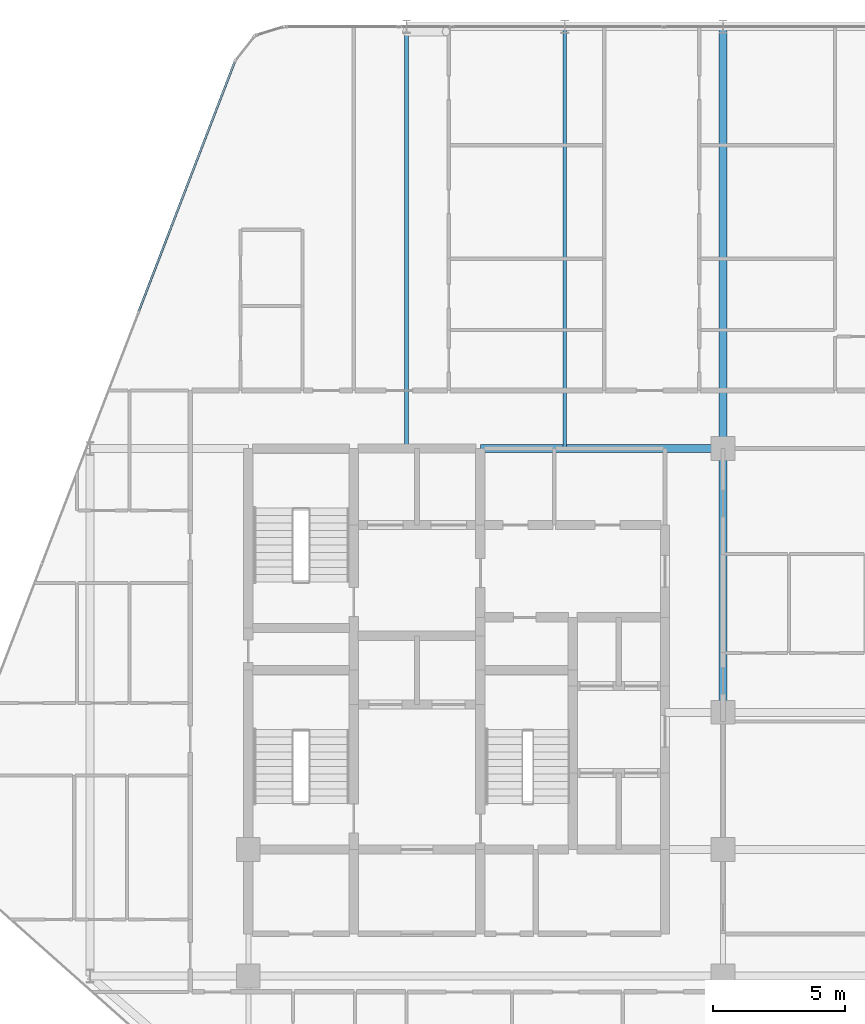
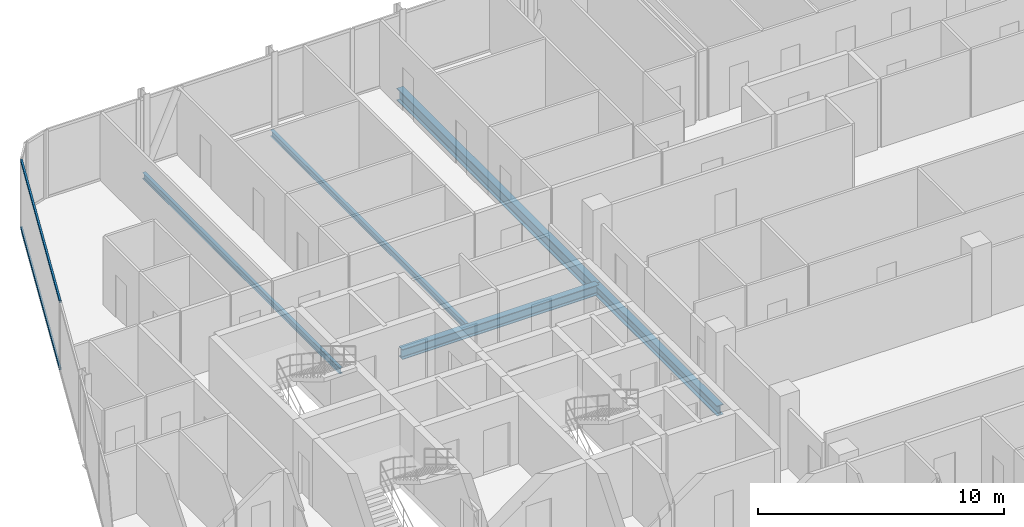
# One storey, part 16 of 32: 5 beams, 2 members, 1 element without a shape of its own.
"""IFC4 building model written with IfcOpenShell, lengths in metres."""

from ifc_helpers import new_model, si_unit, direction, frame, origin, origin_2d, place, context, subcontext, project, spatial, hollow_rectangle, i_section, extrude, material, layer, layer_set, material_profile, profile_set, type_object, element, aggregate, save


model = new_model("IFC4")

# Units and contexts
model_context = context("Model", 3, precision=1e-05, world=origin(), true_north=direction((0.0, 1.0)))
body_context = subcontext(model_context, "Body", "Model", "MODEL_VIEW")
ifc_project = project(units=[si_unit("LENGTHUNIT", "METRE"), si_unit("AREAUNIT", "SQUARE_METRE"), si_unit("VOLUMEUNIT", "CUBIC_METRE"), si_unit("PLANEANGLEUNIT", "RADIAN"), si_unit("MASSUNIT", "GRAM", prefix="KILO")], contexts=[model_context])

# Site, building, storey
site_placement = place(None, origin())
site = spatial("IfcSite", under=ifc_project, at=site_placement, CompositionType="ELEMENT")
building_placement = place(site_placement, origin())
building = spatial("IfcBuilding", under=site, at=building_placement, Name="Keshet Zoharim Tower", CompositionType="ELEMENT")
storey_placement = place(building_placement, frame((0.0, 0.0, 152.0)))
storey = spatial("IfcBuildingStorey", under=building, at=storey_placement, Name="L37", CompositionType="ELEMENT", Elevation=152.0)

# Beams
ifc_material_1 = material(Name="Steel S355", Category="steel")
ifc_material_profile_1 = material_profile(ifc_material_1, i_section(OverallWidth=0.14990234375, OverallDepth=0.300048828125, WebThickness=0.007080078125, FlangeThickness=0.0107421875, FilletRadius=0.014892578125, at=origin_2d()), Name="IPE300")
ifc_profile_set_1 = profile_set([ifc_material_profile_1], Name="Steel S355")
beam_type_1 = type_object("IfcBeamType", Name="BM-JST-IP300", PredefinedType="JOIST", material=ifc_profile_set_1)
for number, where, z_axis, x_axis, name in (
    (1, (21.0, 37.89990234375, -0.465087890625), (0.0, 1.0, 0.0), (-1.0, 0.0, 0.0), "L37 Secondary Floor Joist J-001"),
    (2, (27.0, 37.89990234375, -0.465087890625), (0.0, 1.0, 0.0), (-1.0, 0.0, 0.0), "L37 Secondary Floor Joist J-002"),
):
    element("IfcBeam", number, at=place(storey_placement, frame(where, z_axis=z_axis, x_axis=x_axis)), inside=storey, type_object=beam_type_1, Name=name, PredefinedType="JOIST", context=body_context, shape_type="SweptSolid", body=[
        extrude(i_section(OverallWidth=0.14990234375, OverallDepth=0.300048828125, WebThickness=0.007080078125, FlangeThickness=0.0107421875, FilletRadius=0.014892578125, at=origin_2d()), origin(), (0.0, 0.0, 1.0), 16.0),
    ])
ifc_material_profile_2 = material_profile(ifc_material_1, i_section(OverallWidth=0.300048828125, OverallDepth=0.60009765625, WebThickness=0.015380859375, FlangeThickness=0.030029296875, FilletRadius=0.027099609375, at=origin_2d()), Name="HEB600")
ifc_profile_set_2 = profile_set([ifc_material_profile_2], Name="Steel S355")
beam_type_2 = type_object("IfcBeamType", Name="BM-LNG-HB600", PredefinedType="BEAM", material=ifc_profile_set_2)
beam_1_placement = place(storey_placement, frame((33.0, 37.89990234375, -0.614990234375), z_axis=(0.0, 1.0, 0.0), x_axis=(-1.0, 0.0, 0.0)))
element("IfcBeam", 3, at=beam_1_placement, inside=storey, type_object=beam_type_2, Name="L37 Primary Girder Y-011", PredefinedType="BEAM", context=body_context, shape_type="SweptSolid", body=[
    extrude(i_section(OverallWidth=0.300048828125, OverallDepth=0.60009765625, WebThickness=0.015380859375, FlangeThickness=0.030029296875, FilletRadius=0.027099609375, at=origin_2d()), origin(), (0.0, 0.0, 1.0), 16.0),
])
ifc_material_profile_3 = material_profile(ifc_material_1, i_section(OverallWidth=0.300048828125, OverallDepth=0.5, WebThickness=0.014404296875, FlangeThickness=0.028076171875, FilletRadius=0.027099609375, at=origin_2d()), Name="HEB500")
ifc_profile_set_3 = profile_set([ifc_material_profile_3], Name="Steel S355")
beam_type_3 = type_object("IfcBeamType", Name="BM-MED-HB500", PredefinedType="BEAM", material=ifc_profile_set_3)
beam_2_placement = place(storey_placement, frame((23.800048828125, 37.89990234375, -0.56494140625), z_axis=(1.0, 0.0, 0.0), x_axis=(0.0, 1.0, 0.0)))
element("IfcBeam", 4, at=beam_2_placement, inside=storey, type_object=beam_type_3, Name="L37 Primary Girder X-019", PredefinedType="BEAM", context=body_context, shape_type="SweptSolid", body=[
    extrude(i_section(OverallWidth=0.300048828125, OverallDepth=0.5, WebThickness=0.014404296875, FlangeThickness=0.028076171875, FilletRadius=0.027099609375, at=origin_2d()), origin(), (0.0, 0.0, 1.0), 9.199951171875),
])
beam_3_placement = place(storey_placement, frame((33.0, 27.89990234375, -0.56494140625), z_axis=(0.0, 1.0, 0.0), x_axis=(-1.0, 0.0, 0.0)))
element("IfcBeam", 5, at=beam_3_placement, inside=storey, type_object=beam_type_3, Name="L37 Primary Girder Y-010", PredefinedType="BEAM", context=body_context, shape_type="SweptSolid", body=[
    extrude(i_section(OverallWidth=0.300048828125, OverallDepth=0.5, WebThickness=0.014404296875, FlangeThickness=0.028076171875, FilletRadius=0.027099609375, at=origin_2d()), origin(), (0.0, 0.0, 1.0), 10.0),
])

# Curtain wall, members
ifc_material_2 = material(Name="Aluminium 6063-T6", Category="aluminium")
ifc_layer = layer(ifc_material_2, 0.159912109375)
ifc_layer_set = layer_set([ifc_layer], Name="Aluminium 6063-T6")
curtain_wall_type = type_object("IfcCurtainWallType", Name="CW-SYS-03", PredefinedType="NOTDEFINED", material=ifc_layer_set)
curtain_wall_placement = place(storey_placement, origin())
curtain_wall = element("IfcCurtainWall", 6, at=curtain_wall_placement, inside=storey, type_object=curtain_wall_type, Name="L37 Unitised Curtain Wall 10", PredefinedType="NOTDEFINED")
ifc_material_profile_4 = material_profile(ifc_material_2, hollow_rectangle(XDim=0.080078125, YDim=0.139892578125, WallThickness=0.00390625, at=origin_2d()), Name="TRN-80x140")
ifc_profile_set_4 = profile_set([ifc_material_profile_4], Name="Aluminium 6063-T6")
member_type = type_object("IfcMemberType", Name="CWT-T14", PredefinedType="USERDEFINED", material=ifc_profile_set_4)
member_1_placement = place(storey_placement, frame((10.849609375, 43.10888671875, 0.034912109375), z_axis=(0.358985546764, 0.933343118694, 0.0), x_axis=(-0.933343118694, 0.358985546764, 0.0)))
member_1 = element("IfcMember", 7, at=member_1_placement, type_object=member_type, Name="CW-03 transom 3.1", ObjectType="TRANSOM", PredefinedType="USERDEFINED", context=body_context, shape_type="SweptSolid", body=[
    extrude(hollow_rectangle(XDim=0.080078125, YDim=0.139892578125, WallThickness=0.00390625, at=origin_2d()), origin(), (0.0, 0.0, 1.0), 10.118408203125),
])
member_2_placement = place(storey_placement, frame((10.849609375, 43.10888671875, 3.35009765625), z_axis=(0.358985546764, 0.933343118694, 0.0), x_axis=(-0.933343118694, 0.358985546764, 0.0)))
member_2 = element("IfcMember", 8, at=member_2_placement, type_object=member_type, Name="CW-03 transom 3.2", ObjectType="TRANSOM", PredefinedType="USERDEFINED", context=body_context, shape_type="SweptSolid", body=[
    extrude(hollow_rectangle(XDim=0.080078125, YDim=0.139892578125, WallThickness=0.00390625, at=origin_2d()), origin(), (0.0, 0.0, 1.0), 10.118408203125),
])
aggregate(curtain_wall, [member_1, member_2])

save(model, "model.ifc")
